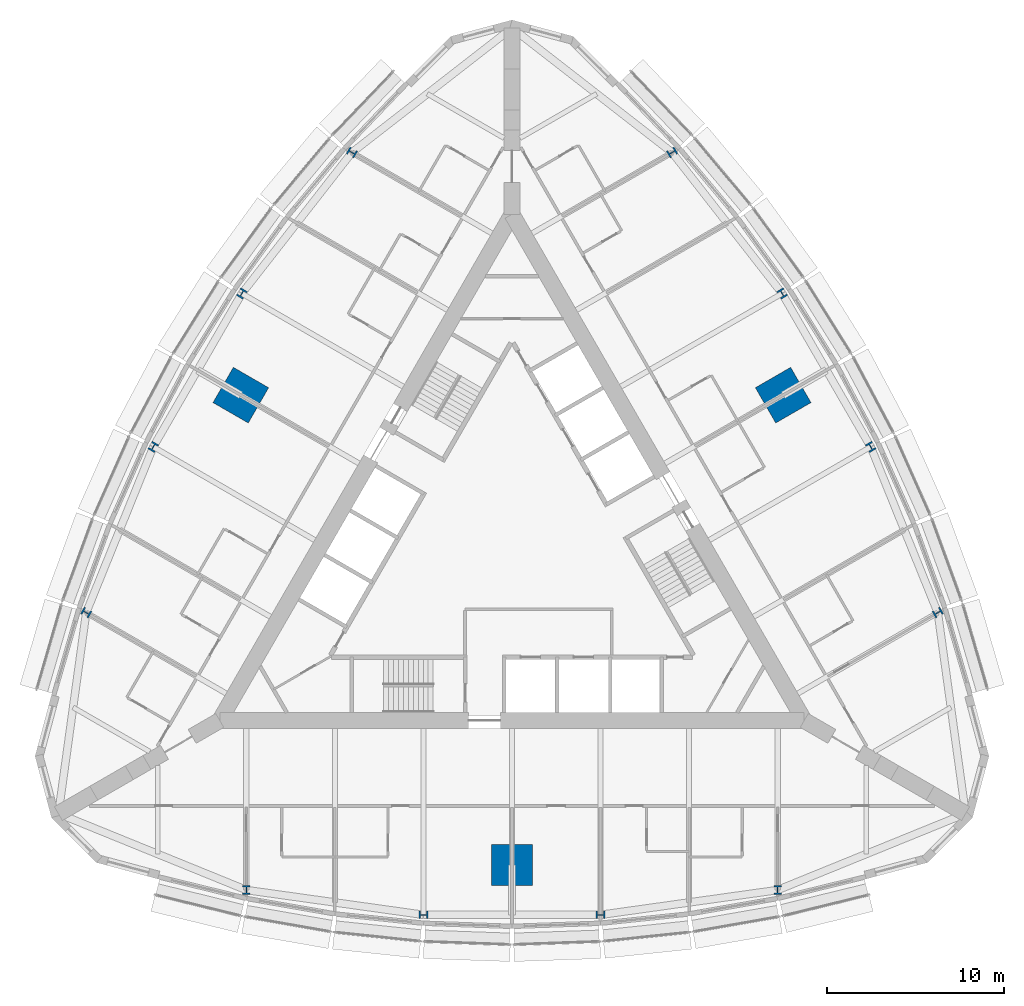
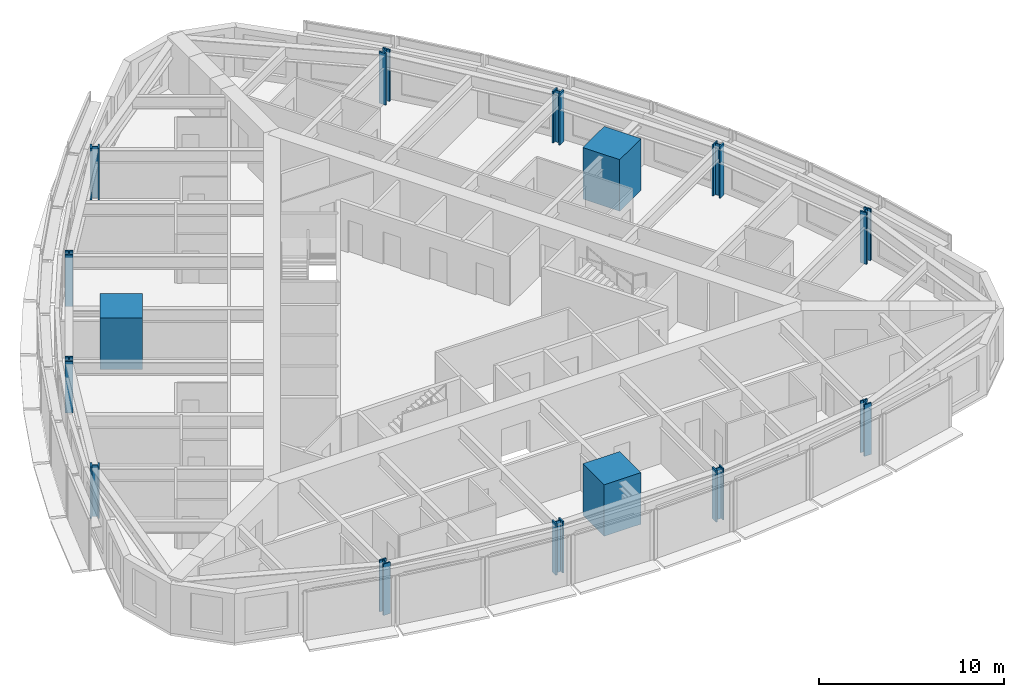
# One storey, part 1 of 14: 15 columns.
"""IFC4 building model written with IfcOpenShell, lengths in metres."""

from ifc_helpers import new_model, si_unit, direction, frame, origin, origin_2d, place, context, subcontext, project, spatial, rectangle, i_section, extrude, material, material_profile, profile_set, type_object, element, save


model = new_model("IFC4")

# Units and contexts
model_context = context("Model", 3, precision=1e-05, world=origin(), true_north=direction((0.0, 1.0)))
body_context = subcontext(model_context, "Body", "Model", "MODEL_VIEW")
ifc_project = project(units=[si_unit("LENGTHUNIT", "METRE"), si_unit("AREAUNIT", "SQUARE_METRE"), si_unit("VOLUMEUNIT", "CUBIC_METRE"), si_unit("PLANEANGLEUNIT", "RADIAN"), si_unit("MASSUNIT", "GRAM", prefix="KILO")], contexts=[model_context])

# Site, building, storey
site_placement = place(None, origin())
site = spatial("IfcSite", under=ifc_project, at=site_placement, CompositionType="ELEMENT")
building_placement = place(site_placement, origin())
building = spatial("IfcBuilding", under=site, at=building_placement, Name="Trikona Tower", CompositionType="ELEMENT")
storey_placement = place(building_placement, frame((0.0, 0.0, 158.89990234375)))
storey = spatial("IfcBuildingStorey", under=building, at=storey_placement, Name="L42", CompositionType="ELEMENT", Elevation=158.89990234375)

# Columns
ifc_material_1 = material(Name="Concrete f'c 10000 psi with encased steel section", Category="concrete")
ifc_material_profile_1 = material_profile(ifc_material_1, rectangle(XDim=2.300048828125, YDim=2.300048828125, at=origin_2d()), Name="MC2300")
ifc_profile_set_1 = profile_set([ifc_material_profile_1], Name="Concrete f'c 10000 psi with encased steel section")
column_type_1 = type_object("IfcColumnType", Name="Composite mega column 2300x2300", PredefinedType="COLUMN", material=ifc_profile_set_1)
for number, where, z_axis, x_axis, name in (
    (1, (0.0, -17.680419921875, 0.0), (0.0, 0.0, 1.0), (0.0, -1.0, 0.0), "Mega column MC1"),
    (2, (15.311767578125, 8.84033203125, 0.0), (0.0, 0.0, 1.0), (0.866025403784, 0.5, 0.0), "Mega column MC2"),
    (3, (-15.311767578125, 8.84033203125, 0.0), (0.0, 0.0, 1.0), (-0.866025403784, 0.5, 0.0), "Mega column MC3"),
):
    element("IfcColumn", number, at=place(storey_placement, frame(where, z_axis=z_axis, x_axis=x_axis)), inside=storey, type_object=column_type_1, Name=name, PredefinedType="COLUMN", context=body_context, shape_type="SweptSolid", body=[
        extrude(rectangle(XDim=2.300048828125, YDim=2.300048828125, at=origin_2d()), origin(), (0.0, 0.0, 1.0), 3.400146484375),
    ])
ifc_material_2 = material(Name="Steel ASTM A992 Grade 50", Category="steel")
ifc_material_profile_2 = material_profile(ifc_material_2, i_section(OverallWidth=0.431884765625, OverallDepth=0.497802734375, WebThickness=0.0556640625, FlangeThickness=0.0888671875, at=origin_2d()), Name="W14X500")
ifc_profile_set_2 = profile_set([ifc_material_profile_2], Name="Steel ASTM A992 Grade 50")
column_type_2 = type_object("IfcColumnType", Name="Steel column W14x500", PredefinedType="COLUMN", material=ifc_profile_set_2)
for number, where, z_axis, x_axis, name in (
    (4, (-15.0, -19.10009765625, 0.0), (0.0, 0.0, 1.0), (1.0, 0.0, 0.0), "Column F0m15"),
    (5, (-5.0, -20.500244140625, 0.0), (0.0, 0.0, 1.0), (0.0, -1.0, 0.0), "Column F0m5"),
    (6, (5.0, -20.500244140625, 0.0), (0.0, 0.0, 1.0), (0.0, -1.0, 0.0), "Column F0p5"),
    (7, (15.0, -19.10009765625, 0.0), (0.0, 0.0, 1.0), (1.0, 0.0, 0.0), "Column F0p15"),
    (8, (24.041259765625, -3.440185546875, 0.0), (0.0, 0.0, 1.0), (-0.5, 0.866025403784, 0.0), "Column F1m15"),
    (9, (20.253662109375, 5.919921875, 0.0), (0.0, 0.0, 1.0), (0.866025403784, 0.5, 0.0), "Column F1m5"),
    (10, (15.253662109375, 14.580078125, 0.0), (0.0, 0.0, 1.0), (0.866025403784, 0.5, 0.0), "Column F1p5"),
    (11, (9.041259765625, 22.54052734375, 0.0), (0.0, 0.0, 1.0), (-0.5, 0.866025403784, 0.0), "Column F1p15"),
    (12, (-9.041259765625, 22.54052734375, 0.0), (0.0, 0.0, 1.0), (-0.5, -0.866025403784, 0.0), "Column F2m15"),
    (13, (-15.253662109375, 14.580078125, 0.0), (0.0, 0.0, 1.0), (-0.866025403784, 0.5, 0.0), "Column F2m5"),
    (14, (-20.253662109375, 5.919921875, 0.0), (0.0, 0.0, 1.0), (-0.866025403784, 0.5, 0.0), "Column F2p5"),
    (15, (-24.041259765625, -3.440185546875, 0.0), (0.0, 0.0, 1.0), (-0.5, -0.866025403784, 0.0), "Column F2p15"),
):
    element("IfcColumn", number, at=place(storey_placement, frame(where, z_axis=z_axis, x_axis=x_axis)), inside=storey, type_object=column_type_2, Name=name, PredefinedType="COLUMN", context=body_context, shape_type="SweptSolid", body=[
        extrude(i_section(OverallWidth=0.431884765625, OverallDepth=0.497802734375, WebThickness=0.0556640625, FlangeThickness=0.0888671875, at=origin_2d()), origin(), (0.0, 0.0, 1.0), 3.400146484375),
    ])

save(model, "model.ifc")
